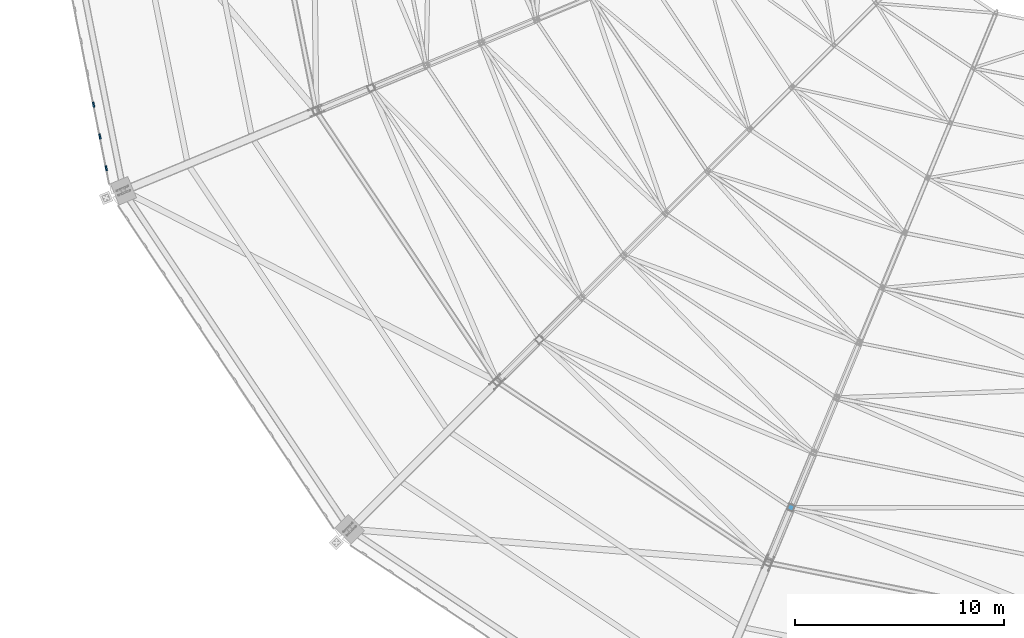
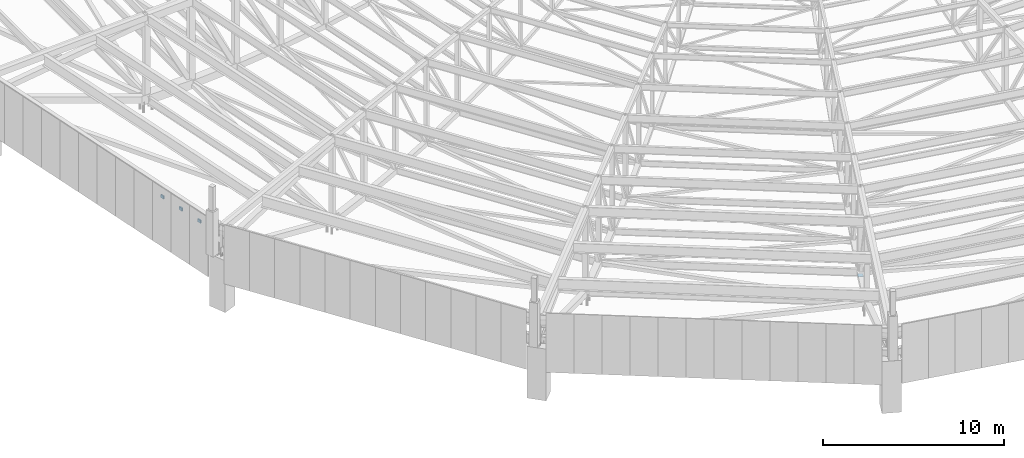
# One storey, part 122 of 278: 4 discrete accessories.
"""IFC4 building model written with IfcOpenShell, lengths in metres."""

from ifc_helpers import new_model, si_unit, direction, frame, origin, origin_2d, place, context, subcontext, project, spatial, rectangle, extrude, material, layer, layer_set, type_object, element, save


model = new_model("IFC4")

# Units and contexts
model_context = context("Model", 3, precision=1e-05, world=origin(), true_north=direction((0.0, 1.0)))
body_context = subcontext(model_context, "Body", "Model", "MODEL_VIEW")
ifc_project = project(units=[si_unit("LENGTHUNIT", "METRE"), si_unit("AREAUNIT", "SQUARE_METRE"), si_unit("VOLUMEUNIT", "CUBIC_METRE"), si_unit("PLANEANGLEUNIT", "RADIAN"), si_unit("MASSUNIT", "GRAM", prefix="KILO")], contexts=[model_context])

# Site, building, storey
site_placement = place(None, origin())
site = spatial("IfcSite", under=ifc_project, at=site_placement, CompositionType="ELEMENT")
building_placement = place(site_placement, origin())
building = spatial("IfcBuilding", under=site, at=building_placement, Name="Ogive Plaza Stadium", CompositionType="ELEMENT")
storey_placement = place(building_placement, frame((0.0, 0.0, 29.0)))
storey = spatial("IfcBuildingStorey", under=building, at=storey_placement, Name="Roof", CompositionType="ELEMENT", Elevation=29.0)

# Discrete accessories
ifc_material_1 = material(Name="Steel ASTM A992 Grade 50", Category="steel")
ifc_layer_1 = layer(ifc_material_1, 0.02001953125)
ifc_layer_set_1 = layer_set([ifc_layer_1], Name="Steel ASTM A992 Grade 50")
discrete_accessory_type_1 = type_object("IfcDiscreteAccessoryType", Name="Roof truss post cap plate 20", PredefinedType="ANCHORPLATE", material=ifc_layer_set_1)
discrete_accessory_placement = place(storey_placement, frame((-48.216796875, -86.822021484375, 0.04541015625), z_axis=(0.0, 0.0, 1.0), x_axis=(-0.382683432365, -0.923879532511, 0.0)))
element("IfcDiscreteAccessory", 1, at=discrete_accessory_placement, inside=storey, type_object=discrete_accessory_type_1, Name="ROOF TRUSS POST CAP PLATE 18 10", PredefinedType="ANCHORPLATE", context=body_context, shape_type="SweptSolid", body=[
    extrude(rectangle(XDim=0.3046875, YDim=0.3046875, at=origin_2d()), origin(), (0.0, 0.0, 1.0), 0.02001953125),
])
ifc_material_2 = material(Name="Steel ASTM A572 Grade 50", Category="steel")
ifc_layer_2 = layer(ifc_material_2, 0.080078125)
ifc_layer_set_2 = layer_set([ifc_layer_2], Name="Steel ASTM A572 Grade 50")
discrete_accessory_type_2 = type_object("IfcDiscreteAccessoryType", Name="Tracery screen bracket 250x200", PredefinedType="BRACKET", material=ifc_layer_set_2)
for number, where, z_axis, x_axis, name in (
    (2, (-81.01953125, -70.556884765625, 5.25), (0.0, 0.0, 1.0), (-0.195090322016, 0.980785280403, 0.0), "TRACERY SCREEN BRACKET B20 1"),
    (3, (-81.322265625, -69.03466796875, 5.25), (0.0, 0.0, 1.0), (-0.195090322016, 0.980785280403, 0.0), "TRACERY SCREEN BRACKET B20 2"),
    (4, (-81.625, -67.51220703125, 5.25), (0.0, 0.0, 1.0), (-0.195090322016, 0.980785280403, 0.0), "TRACERY SCREEN BRACKET B20 3"),
):
    element("IfcDiscreteAccessory", number, at=place(storey_placement, frame(where, z_axis=z_axis, x_axis=x_axis)), inside=storey, type_object=discrete_accessory_type_2, Name=name, PredefinedType="BRACKET", context=body_context, shape_type="SweptSolid", body=[
        extrude(rectangle(XDim=0.25, YDim=0.080078125, at=origin_2d()), origin(), (0.0, 0.0, 1.0), 0.199951171875),
    ])

save(model, "model.ifc")
